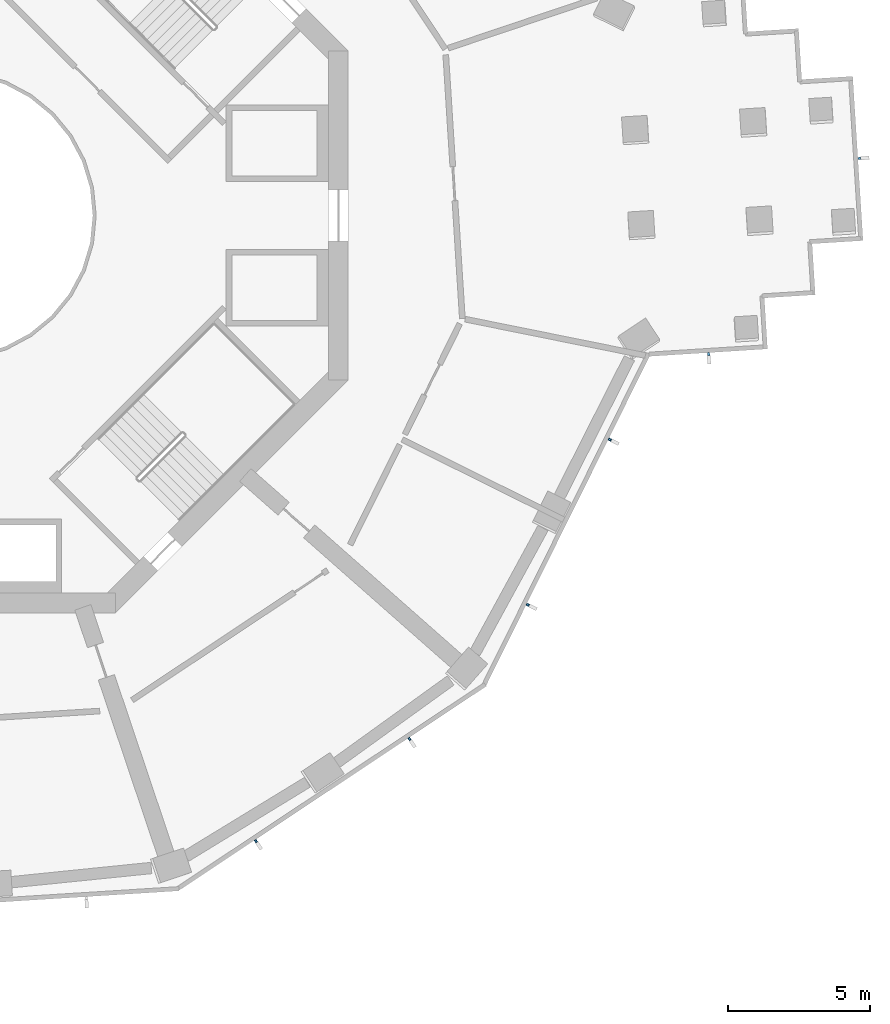
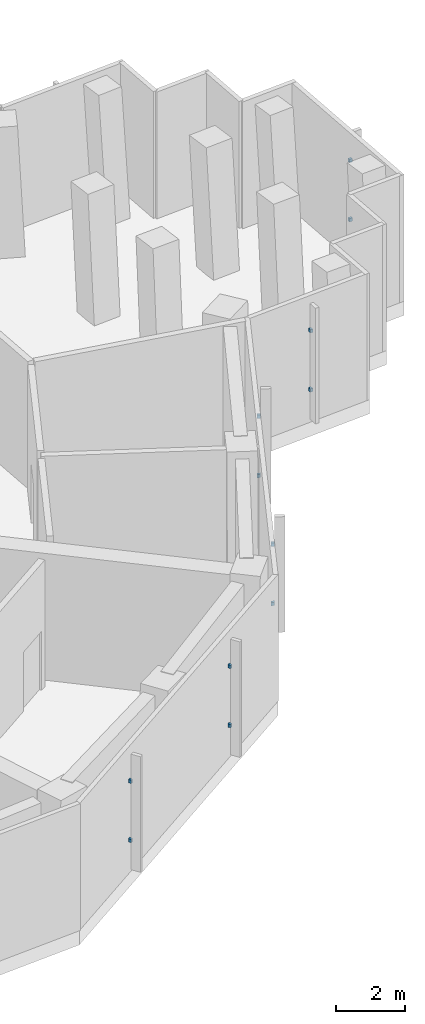
# One storey, part 8 of 16: 12 discrete accessories.
"""IFC4 building model written with IfcOpenShell, lengths in metres."""

from ifc_helpers import new_model, si_unit, direction, frame, origin, origin_2d, place, context, subcontext, project, spatial, rectangle, extrude, element, save


model = new_model("IFC4")

# Units and contexts
model_context = context("Model", 3, precision=1e-05, world=origin(), true_north=direction((0.0, 1.0)))
body_context = subcontext(model_context, "Body", "Model", "MODEL_VIEW")
ifc_project = project(units=[si_unit("LENGTHUNIT", "METRE"), si_unit("AREAUNIT", "SQUARE_METRE"), si_unit("VOLUMEUNIT", "CUBIC_METRE"), si_unit("PLANEANGLEUNIT", "RADIAN"), si_unit("MASSUNIT", "GRAM", prefix="KILO")], contexts=[model_context])

# Site, building, storey
site_placement = place(None, origin())
site = spatial("IfcSite", under=ifc_project, at=site_placement, CompositionType="ELEMENT")
building_placement = place(site_placement, origin())
building = spatial("IfcBuilding", under=site, at=building_placement, Name="Verdalira Terraces Hotel", CompositionType="ELEMENT")
storey_placement = place(building_placement, frame((0.0, 0.0, 169.0)))
storey = spatial("IfcBuildingStorey", under=building, at=storey_placement, Name="L41", CompositionType="ELEMENT", Elevation=169.0)

# Discrete accessories
for number, where, z_axis, x_axis, name in (
    (1, (10.745117, -22.04541, 1.139893), (0.0, 0.0, 1.0), (0.832921241, 0.553391549, 0.0), "Fin bracket"),
    (2, (10.745117, -22.04541, 3.23999), (0.0, 0.0, 1.0), (0.832921241, 0.553391549, 0.0), "Fin bracket"),
    (3, (16.158936, -18.448486, 1.139893), (0.0, 0.0, 1.0), (0.832921241, 0.553391549, 0.0), "Fin bracket"),
    (4, (16.158936, -18.448486, 3.23999), (0.0, 0.0, 1.0), (0.832921241, 0.553391549, 0.0), "Fin bracket"),
    (5, (20.328125, -13.719482, 1.139893), (0.0, 0.0, 1.0), (0.444635179, 0.89571176, 0.0), "Fin bracket"),
    (6, (20.328125, -13.719482, 3.23999), (0.0, 0.0, 1.0), (0.444635179, 0.89571176, 0.0), "Fin bracket"),
    (7, (23.218262, -7.897217, 1.139893), (0.0, 0.0, 1.0), (0.444635179, 0.89571176, 0.0), "Fin bracket"),
    (8, (23.218262, -7.897217, 3.23999), (0.0, 0.0, 1.0), (0.444635179, 0.89571176, 0.0), "Fin bracket"),
    (9, (26.700928, -4.883057, 1.139893), (0.0, 0.0, 1.0), (0.998026728, 0.06279052, 0.0), "Fin bracket"),
    (10, (26.700928, -4.883057, 3.23999), (0.0, 0.0, 1.0), (0.998026728, 0.06279052, 0.0), "Fin bracket"),
    (11, (32.011475, 2.013916, 1.139893), (0.0, 0.0, 1.0), (-0.06279052, 0.998026728, 0.0), "Fin bracket"),
    (12, (32.011475, 2.013916, 3.23999), (0.0, 0.0, 1.0), (-0.06279052, 0.998026728, 0.0), "Fin bracket"),
):
    element("IfcDiscreteAccessory", number, at=place(storey_placement, frame(where, z_axis=z_axis, x_axis=x_axis)), inside=storey, Name=name, PredefinedType="BRACKET", context=body_context, shape_type="SweptSolid", body=[
        extrude(rectangle(XDim=0.080078, YDim=0.100098, at=origin_2d()), origin(), (0.0, 0.0, 1.0), 0.120117),
    ])

save(model, "model.ifc")
